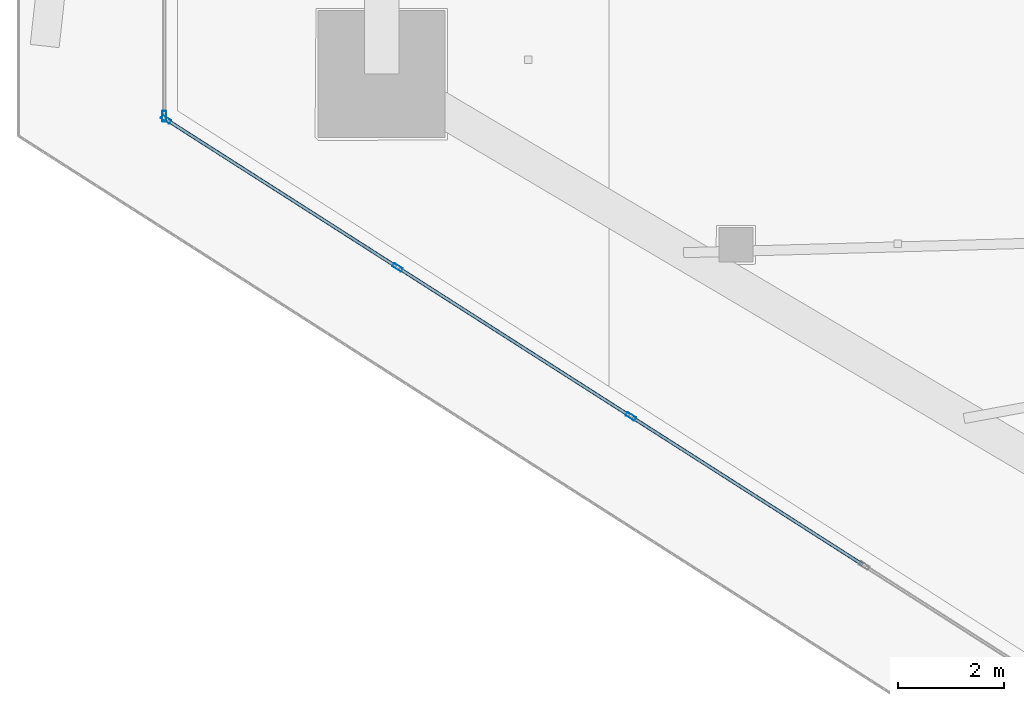
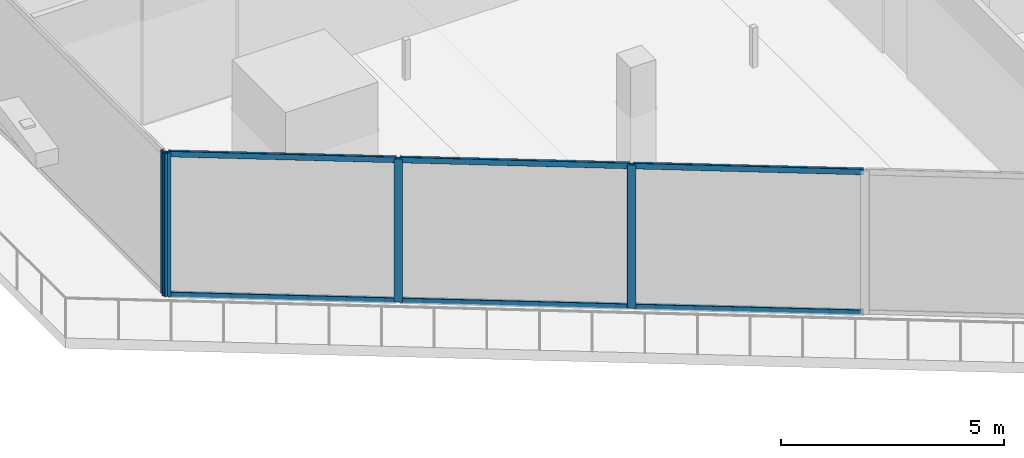
# One storey, part 3 of 44: 10 members, 2 elements without a shape of their own.
"""IFC4 building model written with IfcOpenShell, lengths in metres."""

from ifc_helpers import new_model, si_unit, direction, frame, origin, origin_2d, place, context, subcontext, project, spatial, hollow_rectangle, extrude, material, layer, layer_set, material_profile, profile_set, type_object, element, aggregate, save


model = new_model("IFC4")

# Units and contexts
model_context = context("Model", 3, precision=1e-05, world=origin(), true_north=direction((0.0, 1.0)))
body_context = subcontext(model_context, "Body", "Model", "MODEL_VIEW")
ifc_project = project(units=[si_unit("LENGTHUNIT", "METRE"), si_unit("AREAUNIT", "SQUARE_METRE"), si_unit("VOLUMEUNIT", "CUBIC_METRE"), si_unit("PLANEANGLEUNIT", "RADIAN"), si_unit("MASSUNIT", "GRAM", prefix="KILO")], contexts=[model_context])

# Site, building, storey
site_placement = place(None, origin())
site = spatial("IfcSite", under=ifc_project, at=site_placement, CompositionType="ELEMENT")
building_placement = place(site_placement, origin())
building = spatial("IfcBuilding", under=site, at=building_placement, Name="Qorvath Tower", CompositionType="ELEMENT")
storey_placement = place(building_placement, frame((0.0, 0.0, 78.60009765625)))
storey = spatial("IfcBuildingStorey", under=building, at=storey_placement, Name="L17", CompositionType="ELEMENT", Elevation=78.60009765625)

# Curtain wall, member
ifc_material_1 = material(Name="Anodised aluminium and triple low-E glass", Category="aluminium")
ifc_layer = layer(ifc_material_1, 0.179931640625)
ifc_layer_set = layer_set([ifc_layer], Name="CW-SYS-5")
curtain_wall_type = type_object("IfcCurtainWallType", Name="CW-SYS-5", PredefinedType="NOTDEFINED", material=ifc_layer_set)
curtain_wall_1_placement = place(storey_placement, origin())
curtain_wall_1 = element("IfcCurtainWall", 1, at=curtain_wall_1_placement, inside=storey, type_object=curtain_wall_type, Name="Curtain Wall CW-5 CW-T-L17-5.1", PredefinedType="NOTDEFINED")
ifc_material_2 = material(Name="Anodised aluminium 6063-T6", Category="aluminium")
ifc_material_profile_1 = material_profile(ifc_material_2, hollow_rectangle(XDim=0.074951171875, YDim=0.199951171875, WallThickness=0.00390625, InnerFilletRadius=0.00390625, OuterFilletRadius=0.008056640625, at=origin_2d()), Name="CWM 200x75")
ifc_profile_set_1 = profile_set([ifc_material_profile_1], Name="Anodised aluminium 6063-T6")
member_type_1 = type_object("IfcMemberType", Name="CWM-200", PredefinedType="MULLION", material=ifc_profile_set_1)
member_1_placement = place(storey_placement, frame((-59.395751953125, -3.992919921875, 0.0), z_axis=(0.0, 0.0, 1.0), x_axis=(1.0, 0.0, 0.0)))
member_1 = element("IfcMember", 2, at=member_1_placement, type_object=member_type_1, Name="CW-5 mullion 2", PredefinedType="MULLION", context=body_context, shape_type="SweptSolid", body=[
    extrude(hollow_rectangle(XDim=0.074951171875, YDim=0.199951171875, WallThickness=0.00390625, InnerFilletRadius=0.00390625, OuterFilletRadius=0.008056640625, at=origin_2d()), origin(), (0.0, 0.0, 1.0), 3.919921875),
])
aggregate(curtain_wall_1, [member_1])

# Curtain wall, members
curtain_wall_2_placement = place(storey_placement, origin())
curtain_wall_2 = element("IfcCurtainWall", 3, at=curtain_wall_2_placement, inside=storey, type_object=curtain_wall_type, Name="Curtain Wall CW-5 CW-T-L17-6.1", PredefinedType="NOTDEFINED")
member_2_placement = place(storey_placement, frame((-59.3642578125, -4.05078125, 0.0), z_axis=(0.0, 0.0, 1.0), x_axis=(0.538533177038, 0.842604306439, 0.0)))
member_2 = element("IfcMember", 4, at=member_2_placement, type_object=member_type_1, Name="CW-5 mullion 1", PredefinedType="MULLION", context=body_context, shape_type="SweptSolid", body=[
    extrude(hollow_rectangle(XDim=0.074951171875, YDim=0.199951171875, WallThickness=0.00390625, InnerFilletRadius=0.00390625, OuterFilletRadius=0.008056640625, at=origin_2d()), origin(), (0.0, 0.0, 1.0), 3.919921875),
])
member_3_placement = place(storey_placement, frame((-54.9814453125, -6.851806640625, 0.0), z_axis=(0.0, 0.0, 1.0), x_axis=(0.538533177038, 0.842604306439, 0.0)))
member_3 = element("IfcMember", 5, at=member_3_placement, type_object=member_type_1, Name="CW-5 mullion 2", PredefinedType="MULLION", context=body_context, shape_type="SweptSolid", body=[
    extrude(hollow_rectangle(XDim=0.074951171875, YDim=0.199951171875, WallThickness=0.00390625, InnerFilletRadius=0.00390625, OuterFilletRadius=0.008056640625, at=origin_2d()), origin(), (0.0, 0.0, 1.0), 3.919921875),
])
member_4_placement = place(storey_placement, frame((-50.567138671875, -9.67333984375, 0.0), z_axis=(0.0, 0.0, 1.0), x_axis=(0.538533177038, 0.842604306439, 0.0)))
member_4 = element("IfcMember", 6, at=member_4_placement, type_object=member_type_1, Name="CW-5 mullion 3", PredefinedType="MULLION", context=body_context, shape_type="SweptSolid", body=[
    extrude(hollow_rectangle(XDim=0.074951171875, YDim=0.199951171875, WallThickness=0.00390625, InnerFilletRadius=0.00390625, OuterFilletRadius=0.008056640625, at=origin_2d()), origin(), (0.0, 0.0, 1.0), 3.919921875),
])
ifc_material_3 = material(Name="Anodised aluminium 6063-T6", Category="aluminium")
ifc_material_profile_2 = material_profile(ifc_material_3, hollow_rectangle(XDim=0.06494140625, YDim=0.159912109375, WallThickness=0.00341796875, InnerFilletRadius=0.00341796875, OuterFilletRadius=0.007080078125, at=origin_2d()), Name="CWT 160x65")
ifc_profile_set_2 = profile_set([ifc_material_profile_2], Name="Anodised aluminium 6063-T6")
member_type_2 = type_object("IfcMemberType", Name="CWT-160", PredefinedType="USERDEFINED", material=ifc_profile_set_2)
member_5_placement = place(storey_placement, frame((-59.33251953125, -4.07080078125, 0.032470703125), z_axis=(0.842606819938, -0.538529244326, 0.0), x_axis=(0.538529244326, 0.842606819938, 0.0)))
member_5 = element("IfcMember", 7, at=member_5_placement, type_object=member_type_2, Name="CW-5 transom 1.1", ObjectType="TRANSOM", PredefinedType="USERDEFINED", context=body_context, shape_type="SweptSolid", body=[
    extrude(hollow_rectangle(XDim=0.06494140625, YDim=0.159912109375, WallThickness=0.00341796875, InnerFilletRadius=0.00341796875, OuterFilletRadius=0.007080078125, at=origin_2d()), origin(), (0.0, 0.0, 1.0), 5.12646484375),
])
member_6_placement = place(storey_placement, frame((-59.33251953125, -4.07080078125, 3.887451171875), z_axis=(0.842606819938, -0.538529244326, 0.0), x_axis=(0.538529244326, 0.842606819938, 0.0)))
member_6 = element("IfcMember", 8, at=member_6_placement, type_object=member_type_2, Name="CW-5 transom 1.2", ObjectType="TRANSOM", PredefinedType="USERDEFINED", context=body_context, shape_type="SweptSolid", body=[
    extrude(hollow_rectangle(XDim=0.06494140625, YDim=0.159912109375, WallThickness=0.00341796875, InnerFilletRadius=0.00341796875, OuterFilletRadius=0.007080078125, at=origin_2d()), origin(), (0.0, 0.0, 1.0), 5.12646484375),
])
member_7_placement = place(storey_placement, frame((-54.94970703125, -6.8720703125, 0.032470703125), z_axis=(0.842594952628, -0.538547811996, 0.0), x_axis=(0.538547811996, 0.842594952628, 0.0)))
member_7 = element("IfcMember", 9, at=member_7_placement, type_object=member_type_2, Name="CW-5 transom 2.1", ObjectType="TRANSOM", PredefinedType="USERDEFINED", context=body_context, shape_type="SweptSolid", body=[
    extrude(hollow_rectangle(XDim=0.06494140625, YDim=0.159912109375, WallThickness=0.00341796875, InnerFilletRadius=0.00341796875, OuterFilletRadius=0.007080078125, at=origin_2d()), origin(), (0.0, 0.0, 1.0), 5.163818359375),
])
member_8_placement = place(storey_placement, frame((-54.94970703125, -6.8720703125, 3.887451171875), z_axis=(0.842594952628, -0.538547811996, 0.0), x_axis=(0.538547811996, 0.842594952628, 0.0)))
member_8 = element("IfcMember", 10, at=member_8_placement, type_object=member_type_2, Name="CW-5 transom 2.2", ObjectType="TRANSOM", PredefinedType="USERDEFINED", context=body_context, shape_type="SweptSolid", body=[
    extrude(hollow_rectangle(XDim=0.06494140625, YDim=0.159912109375, WallThickness=0.00341796875, InnerFilletRadius=0.00341796875, OuterFilletRadius=0.007080078125, at=origin_2d()), origin(), (0.0, 0.0, 1.0), 5.163818359375),
])
member_9_placement = place(storey_placement, frame((-50.535400390625, -9.693359375, 0.032470703125), z_axis=(0.842594952628, -0.538547811996, 0.0), x_axis=(0.538547811996, 0.842594952628, 0.0)))
member_9 = element("IfcMember", 11, at=member_9_placement, type_object=member_type_2, Name="CW-5 transom 3.1", ObjectType="TRANSOM", PredefinedType="USERDEFINED", context=body_context, shape_type="SweptSolid", body=[
    extrude(hollow_rectangle(XDim=0.06494140625, YDim=0.159912109375, WallThickness=0.00341796875, InnerFilletRadius=0.00341796875, OuterFilletRadius=0.007080078125, at=origin_2d()), origin(), (0.0, 0.0, 1.0), 5.163818359375),
])
member_10_placement = place(storey_placement, frame((-50.535400390625, -9.693359375, 3.887451171875), z_axis=(0.842594952628, -0.538547811996, 0.0), x_axis=(0.538547811996, 0.842594952628, 0.0)))
member_10 = element("IfcMember", 12, at=member_10_placement, type_object=member_type_2, Name="CW-5 transom 3.2", ObjectType="TRANSOM", PredefinedType="USERDEFINED", context=body_context, shape_type="SweptSolid", body=[
    extrude(hollow_rectangle(XDim=0.06494140625, YDim=0.159912109375, WallThickness=0.00341796875, InnerFilletRadius=0.00341796875, OuterFilletRadius=0.007080078125, at=origin_2d()), origin(), (0.0, 0.0, 1.0), 5.163818359375),
])
aggregate(curtain_wall_2, [member_2, member_3, member_4, member_5, member_6, member_7, member_8, member_9, member_10])

save(model, "model.ifc")
